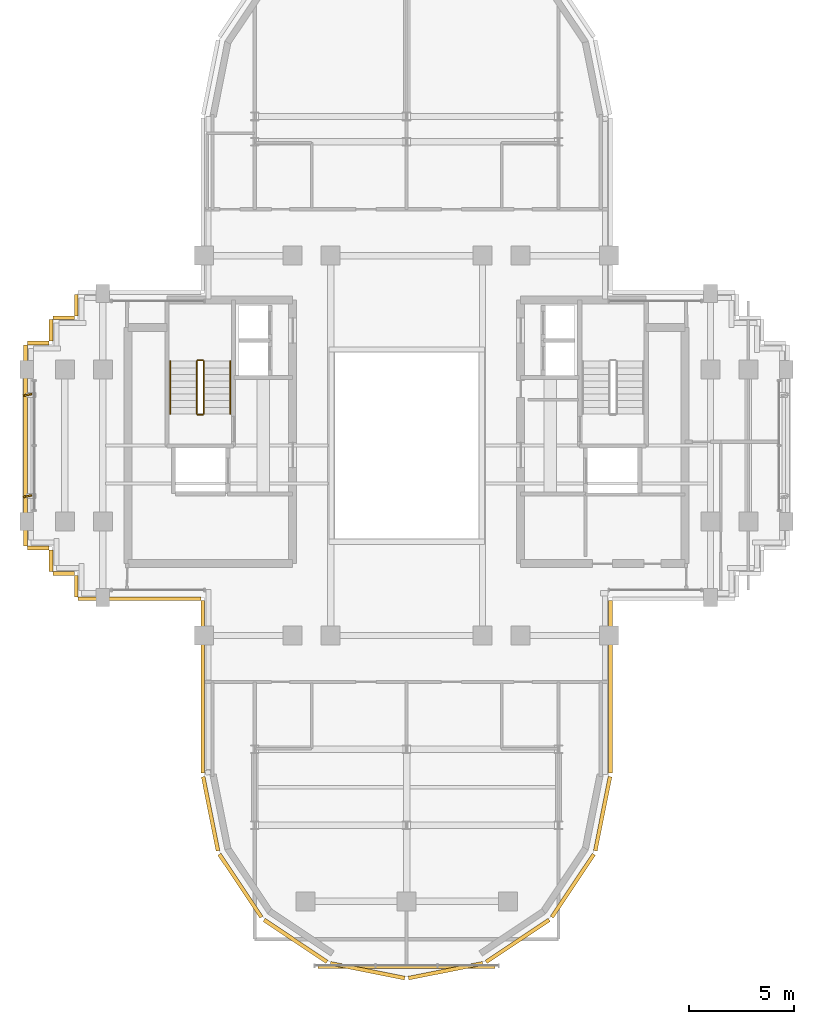
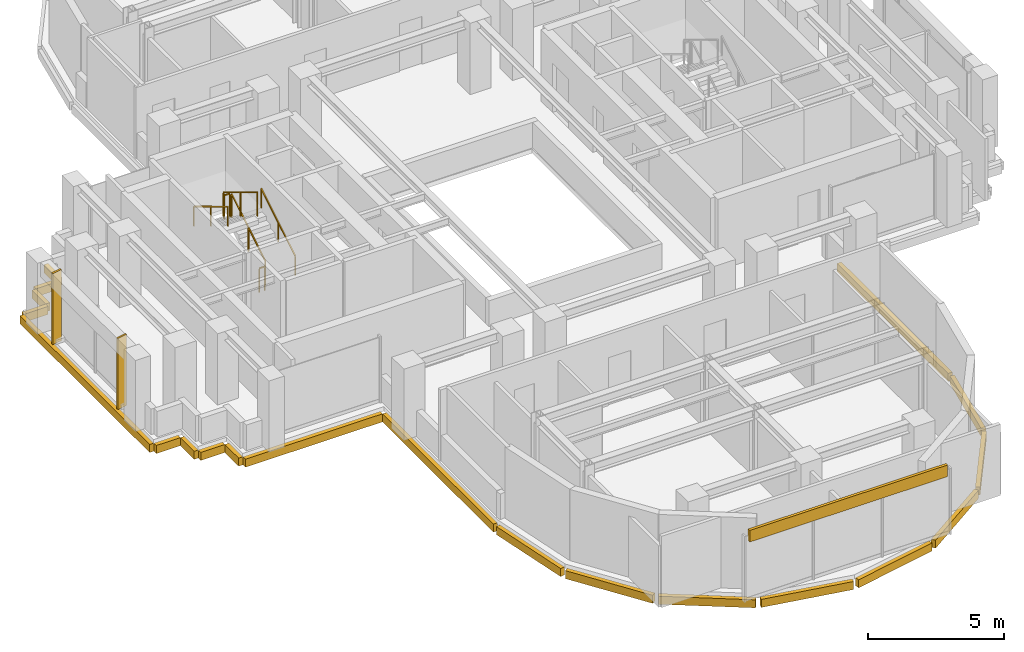
# One storey, part 9 of 11: 21 coverings, 6 railings, 2 shading devices.
"""IFC4 building model written with IfcOpenShell, lengths in metres."""

from ifc_helpers import new_model, si_unit, direction, frame, origin, origin_2d, place, context, subcontext, project, spatial, rectangle, extrude, source, transform, mapped, material, layer, layer_set, type_object, element, save


model = new_model("IFC4")

# Units and contexts
model_context = context("Model", 3, precision=1e-05, world=origin(), true_north=direction((0.0, 1.0)))
body_context = subcontext(model_context, "Body", "Model", "MODEL_VIEW")
ifc_project = project(units=[si_unit("LENGTHUNIT", "METRE"), si_unit("AREAUNIT", "SQUARE_METRE"), si_unit("VOLUMEUNIT", "CUBIC_METRE"), si_unit("PLANEANGLEUNIT", "RADIAN"), si_unit("MASSUNIT", "GRAM", prefix="KILO")], contexts=[model_context])

# Site, building, storey
site_placement = place(None, origin())
site = spatial("IfcSite", under=ifc_project, at=site_placement, CompositionType="ELEMENT")
building_placement = place(site_placement, origin())
building = spatial("IfcBuilding", under=site, at=building_placement, Name="Keilestroom Media Tower", CompositionType="ELEMENT")
storey_placement = place(building_placement, frame((0.0, 0.0, 197.800048828125)))
storey = spatial("IfcBuildingStorey", under=building, at=storey_placement, Name="L54", CompositionType="ELEMENT", Elevation=197.800048828125)

# Railings
ifc_material_1 = material(Name="Brushed Stainless Steel 1.4301", Category="steel")
railing_type_1 = type_object("IfcRailingType", Name="Stair-Pitch-Handrail-920", PredefinedType="HANDRAIL", material=ifc_material_1)
railing_1_placement = place(storey_placement, frame((-8.35009765625, 1.5, 0.188720703125)))
element("IfcRailing", 1, at=railing_1_placement, inside=storey, type_object=railing_type_1, Name="L54 ST-1 stair handrail 1", PredefinedType="HANDRAIL", context=body_context, shape_type="SweptSolid", body=[
    extrude(rectangle(XDim=0.048095703125, YDim=0.048095703125, at=origin_2d()), frame((0.0, 0.0, 0.8759765625), z_axis=(0.0, 0.855433747314, 0.517912255074), x_axis=(-1.0, 0.0, 0.0)), (0.0, 0.0, 1.0), 2.91796875),
    extrude(rectangle(XDim=0.0419921875, YDim=0.0419921875, at=origin_2d()), origin(), (0.0, 0.0, 1.0), 0.84375),
    extrude(rectangle(XDim=0.0419921875, YDim=0.0419921875, at=origin_2d()), frame((0.0, 1.248046875, 0.755615234375)), (0.0, 0.0, 1.0), 0.84375),
    extrude(rectangle(XDim=0.0419921875, YDim=0.0419921875, at=origin_2d()), frame((0.0, 2.49609375, 1.51123046875)), (0.0, 0.0, 1.0), 0.84375),
])
railing_2_placement = place(storey_placement, frame((-11.2099609375, 3.99609375, 1.888916015625)))
element("IfcRailing", 2, at=railing_2_placement, inside=storey, type_object=railing_type_1, Name="L54 ST-1 stair handrail 2", PredefinedType="HANDRAIL", context=body_context, shape_type="SweptSolid", body=[
    extrude(rectangle(XDim=0.048095703125, YDim=0.048095703125, at=origin_2d()), frame((0.0, 0.0, 0.8759765625), z_axis=(0.0, -0.855470815493, 0.517851024754), x_axis=(1.0, 0.0, 0.0)), (0.0, 0.0, 1.0), 2.917724609375),
    extrude(rectangle(XDim=0.0419921875, YDim=0.0419921875, at=origin_2d()), origin(), (0.0, 0.0, 1.0), 0.84375),
    extrude(rectangle(XDim=0.0419921875, YDim=0.0419921875, at=origin_2d()), frame((0.0, -1.248046875, 0.75537109375)), (0.0, 0.0, 1.0), 0.84375),
    extrude(rectangle(XDim=0.0419921875, YDim=0.0419921875, at=origin_2d()), frame((0.0, -2.49609375, 1.510986328125)), (0.0, 0.0, 1.0), 0.84375),
])
ifc_material_2 = material(Name="Painted Steel Balustrade", Category="steel")
railing_type_2 = type_object("IfcRailingType", Name="Stair-Well-And-Landing-Guard-1100", PredefinedType="GUARDRAIL", material=ifc_material_2)
railing_3_placement = place(storey_placement, frame((-9.610107421875, 1.5, 0.188720703125)))
element("IfcRailing", 3, at=railing_3_placement, inside=storey, type_object=railing_type_2, Name="L54 ST-1 stair guard 1", PredefinedType="GUARDRAIL", context=body_context, shape_type="SweptSolid", body=[
    extrude(rectangle(XDim=0.048095703125, YDim=0.048095703125, at=origin_2d()), frame((0.0, 0.0, 1.076171875), z_axis=(0.0, 0.855433747314, 0.517912255074), x_axis=(-1.0, 0.0, 0.0)), (0.0, 0.0, 1.0), 2.91796875),
    extrude(rectangle(XDim=0.0419921875, YDim=0.0419921875, at=origin_2d()), origin(), (0.0, 0.0, 1.0), 1.0439453125),
    extrude(rectangle(XDim=0.0419921875, YDim=0.0419921875, at=origin_2d()), frame((0.0, 1.248046875, 0.755615234375)), (0.0, 0.0, 1.0), 1.0439453125),
    extrude(rectangle(XDim=0.0419921875, YDim=0.0419921875, at=origin_2d()), frame((0.0, 2.49609375, 1.51123046875)), (0.0, 0.0, 1.0), 1.0439453125),
])
railing_4_placement = place(storey_placement, frame((-9.659912109375, 4.0458984375, 1.699951171875)))
element("IfcRailing", 4, at=railing_4_placement, inside=storey, type_object=railing_type_2, Name="L54 ST-1 stair guard 2", PredefinedType="GUARDRAIL", context=body_context, shape_type="SweptSolid", body=[
    extrude(rectangle(XDim=0.048095703125, YDim=0.048095703125, at=origin_2d()), frame((0.0, 0.0, 1.076171875), z_axis=(-1.0, 0.0, 0.0), x_axis=(0.0, -1.0, 0.0)), (0.0, 0.0, 1.0), 0.239990234375),
    extrude(rectangle(XDim=0.0419921875, YDim=0.0419921875, at=origin_2d()), origin(), (0.0, 0.0, 1.0), 1.0439453125),
    extrude(rectangle(XDim=0.0419921875, YDim=0.0419921875, at=origin_2d()), frame((-0.239990234375, 0.0, 0.0)), (0.0, 0.0, 1.0), 1.0439453125),
])
railing_5_placement = place(storey_placement, frame((-9.949951171875, 3.99609375, 1.888916015625)))
element("IfcRailing", 5, at=railing_5_placement, inside=storey, type_object=railing_type_2, Name="L54 ST-1 stair guard 3", PredefinedType="GUARDRAIL", context=body_context, shape_type="SweptSolid", body=[
    extrude(rectangle(XDim=0.048095703125, YDim=0.048095703125, at=origin_2d()), frame((0.0, 0.0, 1.076171875), z_axis=(0.0, -0.855470815493, 0.517851024754), x_axis=(1.0, 0.0, 0.0)), (0.0, 0.0, 1.0), 2.917724609375),
    extrude(rectangle(XDim=0.0419921875, YDim=0.0419921875, at=origin_2d()), origin(), (0.0, 0.0, 1.0), 1.0439453125),
    extrude(rectangle(XDim=0.0419921875, YDim=0.0419921875, at=origin_2d()), frame((0.0, -1.248046875, 0.75537109375)), (0.0, 0.0, 1.0), 1.0439453125),
    extrude(rectangle(XDim=0.0419921875, YDim=0.0419921875, at=origin_2d()), frame((0.0, -2.49609375, 1.510986328125)), (0.0, 0.0, 1.0), 1.0439453125),
])
railing_6_placement = place(storey_placement, frame((-9.659912109375, 1.449951171875, 0.0)))
element("IfcRailing", 6, at=railing_6_placement, inside=storey, type_object=railing_type_2, Name="L54 ST-1 stair guard 4", PredefinedType="GUARDRAIL", context=body_context, shape_type="SweptSolid", body=[
    extrude(rectangle(XDim=0.048095703125, YDim=0.048095703125, at=origin_2d()), frame((0.0, 0.0, 1.076171875), z_axis=(-1.0, 0.0, 0.0), x_axis=(0.0, -1.0, 0.0)), (0.0, 0.0, 1.0), 0.239990234375),
    extrude(rectangle(XDim=0.0419921875, YDim=0.0419921875, at=origin_2d()), origin(), (0.0, 0.0, 1.0), 1.0439453125),
    extrude(rectangle(XDim=0.0419921875, YDim=0.0419921875, at=origin_2d()), frame((-0.239990234375, 0.0, 0.0)), (0.0, 0.0, 1.0), 1.0439453125),
])

# Covering
ifc_material_3 = material(Name="Precast concrete C40/50", Category="concrete")
ifc_layer = layer(ifc_material_3, 0.1201171875)
ifc_layer_set = layer_set([ifc_layer], Name="Precast concrete C40/50")
covering_type = type_object("IfcCoveringType", Name="Exterior-Precast-Spandrel-Cladding-Panel-120", PredefinedType="CLADDING", material=ifc_layer_set)
shared_shape_1 = source(origin(), body_context, "Body", "SweptSolid", [
    extrude(rectangle(XDim=8.39990234375, YDim=0.1201171875, at=origin_2d()), origin(), (0.0, 0.0, 1.0), 0.52001953125),
])
covering_1_placement = place(storey_placement, frame((0.0, -24.719970703125, 2.68994140625), z_axis=(0.0, 0.0, 1.0), x_axis=(1.0, 0.0, 0.0)))
element("IfcCovering", 7, at=covering_1_placement, inside=storey, type_object=covering_type, Name="L54 Precast Spandrel Cladding S", PredefinedType="CLADDING", context=body_context, shape_type="MappedRepresentation", body=[
    mapped(shared_shape_1, transform((0.0, 0.0, 0.0), x_axis=(1.0, 0.0, 0.0), y_axis=(0.0, 1.0, 0.0), z_axis=(0.0, 0.0, 1.0), scale=1.0)),
])

# Shading devices
ifc_material_4 = material(Name="Bronze Anodised Aluminium", Category="aluminium")
shading_device_type = type_object("IfcShadingDeviceType", Name="Facade-Vertical-Sunshade-Fin-SHD-1", PredefinedType="USERDEFINED", material=ifc_material_4)
shared_shape_2 = source(origin(), body_context, "Body", "SweptSolid", [
    extrude(rectangle(XDim=0.419921875, YDim=0.080078125, at=origin_2d()), origin(), (0.0, 0.0, 1.0), 3.199951171875),
])
for number, where, z_axis, x_axis, name in (
    (8, (-17.969970703125, -2.39990234375, 0.0), (0.0, 0.0, 1.0), (0.981560518741, 0.191151636272, 0.0), "L54 Twisting Sunshade Fin SHD-1 077"),
    (9, (-17.969970703125, 2.39990234375, 0.0), (0.0, 0.0, 1.0), (0.981560518741, 0.191151636272, 0.0), "L54 Twisting Sunshade Fin SHD-1 078"),
):
    element("IfcShadingDevice", number, at=place(storey_placement, frame(where, z_axis=z_axis, x_axis=x_axis)), inside=storey, type_object=shading_device_type, Name=name, ObjectType="SUNSHADE", PredefinedType="USERDEFINED", context=body_context, shape_type="MappedRepresentation", body=[
        mapped(shared_shape_2, transform((0.0, 0.0, 0.0), x_axis=(1.0, 0.0, 0.0), y_axis=(0.0, 1.0, 0.0), z_axis=(0.0, 0.0, 1.0), scale=1.0)),
    ])

# Coverings
shared_shape_3 = source(origin(), body_context, "Body", "SweptSolid", [
    extrude(rectangle(XDim=1.02001953125, YDim=0.179931640625, at=origin_2d()), origin(), (0.0, 0.0, 1.0), 0.360107421875),
])
for number, where, z_axis, x_axis, name in (
    (10, (-15.659912109375, -6.659912109375, -0.5400390625), (0.0, 0.0, 1.0), (0.0, 1.0, 0.0), "L54 Precast Slab-Edge Fascia Cornice 17"),
    (11, (-16.260009765625, -6.06005859375, -0.5400390625), (0.0, 0.0, 1.0), (-1.0, 0.0, 0.0), "L54 Precast Slab-Edge Fascia Cornice 18"),
    (12, (-16.860107421875, -5.4599609375, -0.5400390625), (0.0, 0.0, 1.0), (0.0, 1.0, 0.0), "L54 Precast Slab-Edge Fascia Cornice 19"),
    (13, (-17.4599609375, -4.860107421875, -0.5400390625), (0.0, 0.0, 1.0), (-1.0, 0.0, 0.0), "L54 Precast Slab-Edge Fascia Cornice 20"),
    (14, (-17.4599609375, 4.860107421875, -0.5400390625), (0.0, 0.0, 1.0), (1.0, 0.0, 0.0), "L54 Precast Slab-Edge Fascia Cornice 22"),
    (15, (-16.860107421875, 5.4599609375, -0.5400390625), (0.0, 0.0, 1.0), (0.0, 1.0, 0.0), "L54 Precast Slab-Edge Fascia Cornice 23"),
    (16, (-16.260009765625, 6.06005859375, -0.5400390625), (0.0, 0.0, 1.0), (1.0, 0.0, 0.0), "L54 Precast Slab-Edge Fascia Cornice 24"),
    (17, (-15.659912109375, 6.659912109375, -0.5400390625), (0.0, 0.0, 1.0), (0.0, 1.0, 0.0), "L54 Precast Slab-Edge Fascia Cornice 25"),
):
    element("IfcCovering", number, at=place(storey_placement, frame(where, z_axis=z_axis, x_axis=x_axis)), inside=storey, type_object=covering_type, Name=name, PredefinedType="CLADDING", context=body_context, shape_type="MappedRepresentation", body=[
        mapped(shared_shape_3, transform((0.0, 0.0, 0.0), x_axis=(1.0, 0.0, 0.0), y_axis=(0.0, 1.0, 0.0), z_axis=(0.0, 0.0, 1.0), scale=1.0)),
    ])
shared_shape_4 = source(origin(), body_context, "Body", "SweptSolid", [
    extrude(rectangle(XDim=8.166015625, YDim=0.179931640625, at=origin_2d()), origin(), (0.0, 0.0, 1.0), 0.360107421875),
])
for number, where, z_axis, x_axis, name in (
    (18, (9.659912109375, -11.43310546875, -0.5400390625), (0.0, 0.0, 1.0), (0.0, -1.0, 0.0), "L54 Precast Slab-Edge Fascia Cornice 06"),
    (19, (-9.659912109375, -11.43310546875, -0.5400390625), (0.0, 0.0, 1.0), (0.0, 1.0, 0.0), "L54 Precast Slab-Edge Fascia Cornice 15"),
):
    element("IfcCovering", number, at=place(storey_placement, frame(where, z_axis=z_axis, x_axis=x_axis)), inside=storey, type_object=covering_type, Name=name, PredefinedType="CLADDING", context=body_context, shape_type="MappedRepresentation", body=[
        mapped(shared_shape_4, transform((0.0, 0.0, 0.0), x_axis=(1.0, 0.0, 0.0), y_axis=(0.0, 1.0, 0.0), z_axis=(0.0, 0.0, 1.0), scale=1.0)),
    ])
shared_shape_5 = source(origin(), body_context, "Body", "SweptSolid", [
    extrude(rectangle(XDim=3.58349609375, YDim=0.179931640625, at=origin_2d()), origin(), (0.0, 0.0, 1.0), 0.360107421875),
])
for number, where, z_axis, x_axis, name in (
    (20, (9.29296875, -17.45166015625, -0.5400390625), (0.0, 0.0, 1.0), (-0.195098880975, -0.980783577882, 0.0), "L54 Precast Slab-Edge Fascia Cornice 07"),
    (21, (-9.29296875, -17.45166015625, -0.5400390625), (0.0, 0.0, 1.0), (-0.195098880975, 0.980783577882, 0.0), "L54 Precast Slab-Edge Fascia Cornice 14"),
):
    element("IfcCovering", number, at=place(storey_placement, frame(where, z_axis=z_axis, x_axis=x_axis)), inside=storey, type_object=covering_type, Name=name, PredefinedType="CLADDING", context=body_context, shape_type="MappedRepresentation", body=[
        mapped(shared_shape_5, transform((0.0, 0.0, 0.0), x_axis=(1.0, 0.0, 0.0), y_axis=(0.0, 1.0, 0.0), z_axis=(0.0, 0.0, 1.0), scale=1.0)),
    ])
shared_shape_6 = source(origin(), body_context, "Body", "SweptSolid", [
    extrude(rectangle(XDim=3.589599609375, YDim=0.179931640625, at=origin_2d()), origin(), (0.0, 0.0, 1.0), 0.360107421875),
])
for number, where, z_axis, x_axis, name in (
    (22, (7.878662109375, -20.8642578125, -0.5400390625), (0.0, 0.0, 1.0), (-0.555574586577, -0.831466703332, 0.0), "L54 Precast Slab-Edge Fascia Cornice 08"),
    (23, (5.264404296875, -23.478515625, -0.5400390625), (0.0, 0.0, 1.0), (-0.831466703332, -0.555574586577, 0.0), "L54 Precast Slab-Edge Fascia Cornice 09"),
    (24, (1.8486328125, -24.893310546875, -0.5400390625), (0.0, 0.0, 1.0), (-0.980783577882, -0.195098880975, 0.0), "L54 Precast Slab-Edge Fascia Cornice 10"),
    (25, (-1.8486328125, -24.893310546875, -0.5400390625), (0.0, 0.0, 1.0), (-0.980783577882, 0.195098880975, 0.0), "L54 Precast Slab-Edge Fascia Cornice 11"),
    (26, (-5.264404296875, -23.478515625, -0.5400390625), (0.0, 0.0, 1.0), (-0.831466703332, 0.555574586577, 0.0), "L54 Precast Slab-Edge Fascia Cornice 12"),
    (27, (-7.878662109375, -20.8642578125, -0.5400390625), (0.0, 0.0, 1.0), (-0.555574586577, 0.831466703332, 0.0), "L54 Precast Slab-Edge Fascia Cornice 13"),
):
    element("IfcCovering", number, at=place(storey_placement, frame(where, z_axis=z_axis, x_axis=x_axis)), inside=storey, type_object=covering_type, Name=name, PredefinedType="CLADDING", context=body_context, shape_type="MappedRepresentation", body=[
        mapped(shared_shape_6, transform((0.0, 0.0, 0.0), x_axis=(1.0, 0.0, 0.0), y_axis=(0.0, 1.0, 0.0), z_axis=(0.0, 0.0, 1.0), scale=1.0)),
    ])
shared_shape_7 = source(origin(), body_context, "Body", "SweptSolid", [
    extrude(rectangle(XDim=9.5400390625, YDim=0.179931640625, at=origin_2d()), origin(), (0.0, 0.0, 1.0), 0.360107421875),
])
covering_2_placement = place(storey_placement, frame((-18.06005859375, 0.0, -0.5400390625), z_axis=(0.0, 0.0, 1.0), x_axis=(0.0, 1.0, 0.0)))
element("IfcCovering", 28, at=covering_2_placement, inside=storey, type_object=covering_type, Name="L54 Precast Slab-Edge Fascia Cornice 21", PredefinedType="CLADDING", context=body_context, shape_type="MappedRepresentation", body=[
    mapped(shared_shape_7, transform((0.0, 0.0, 0.0), x_axis=(1.0, 0.0, 0.0), y_axis=(0.0, 1.0, 0.0), z_axis=(0.0, 0.0, 1.0), scale=1.0)),
])
shared_shape_8 = source(origin(), body_context, "Body", "SweptSolid", [
    extrude(rectangle(XDim=5.820068359375, YDim=0.179931640625, at=origin_2d()), origin(), (0.0, 0.0, 1.0), 0.360107421875),
])
covering_3_placement = place(storey_placement, frame((-12.659912109375, -7.260009765625, -0.5400390625), z_axis=(0.0, 0.0, 1.0), x_axis=(-1.0, 0.0, 0.0)))
element("IfcCovering", 29, at=covering_3_placement, inside=storey, type_object=covering_type, Name="L54 Precast Slab-Edge Fascia Cornice 16", PredefinedType="CLADDING", context=body_context, shape_type="MappedRepresentation", body=[
    mapped(shared_shape_8, transform((0.0, 0.0, 0.0), x_axis=(1.0, 0.0, 0.0), y_axis=(0.0, 1.0, 0.0), z_axis=(0.0, 0.0, 1.0), scale=1.0)),
])

save(model, "model.ifc")
